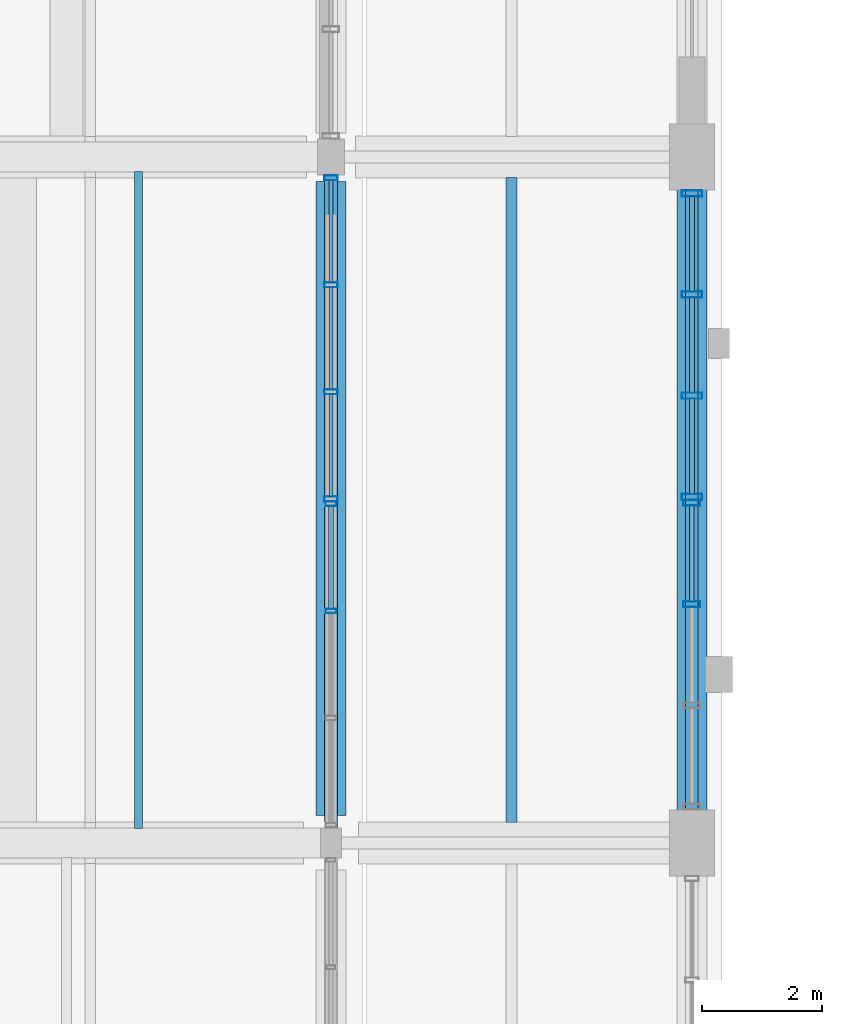
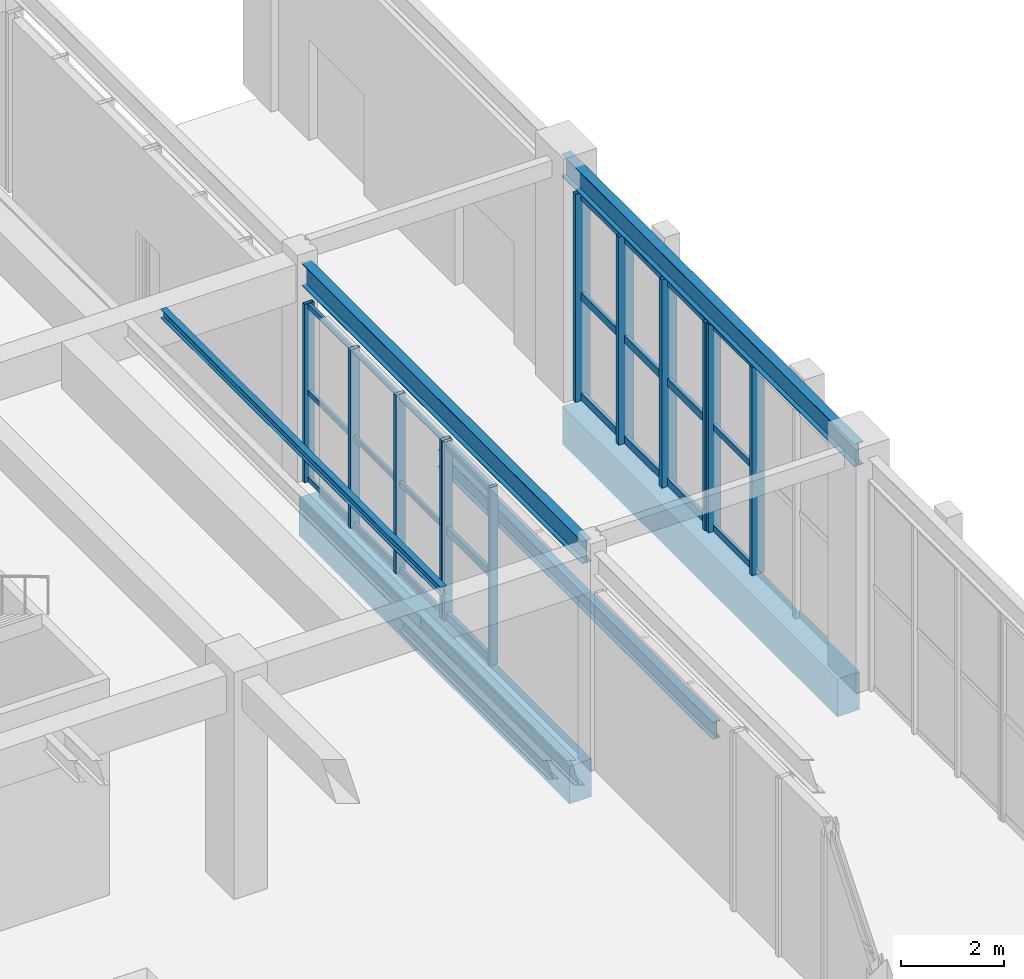
# One storey, part 51 of 113: 36 members, 6 beams, 4 elements without a shape of their own.
"""IFC4 building model written with IfcOpenShell, lengths in metres."""

from ifc_helpers import new_model, si_unit, direction, frame, origin, origin_2d, place, context, subcontext, project, spatial, rectangle, hollow_rectangle, i_section, extrude, material, layer, layer_set, material_profile, profile_set, type_object, element, aggregate, save


model = new_model("IFC4")

# Units and contexts
model_context = context("Model", 3, precision=1e-05, world=origin(), true_north=direction((0.0, 1.0)))
body_context = subcontext(model_context, "Body", "Model", "MODEL_VIEW")
ifc_project = project(units=[si_unit("LENGTHUNIT", "METRE"), si_unit("AREAUNIT", "SQUARE_METRE"), si_unit("VOLUMEUNIT", "CUBIC_METRE"), si_unit("PLANEANGLEUNIT", "RADIAN"), si_unit("MASSUNIT", "GRAM", prefix="KILO"), si_unit("POWERUNIT", "WATT"), si_unit("THERMODYNAMICTEMPERATUREUNIT", "KELVIN")], contexts=[model_context])

# Site, building, storey
site_placement = place(None, origin())
site = spatial("IfcSite", under=ifc_project, at=site_placement, CompositionType="ELEMENT")
building_placement = place(site_placement, origin())
building = spatial("IfcBuilding", under=site, at=building_placement, Name="Kelmbourne Parkland Aquatics Centre", CompositionType="ELEMENT")
storey_placement = place(building_placement, origin())
storey = spatial("IfcBuildingStorey", under=building, at=storey_placement, Name="L00", CompositionType="ELEMENT", Elevation=0.0)

# Beams
ifc_material_1 = material(Name="Concrete C40/50", Category="concrete")
ifc_material_profile_1 = material_profile(ifc_material_1, rectangle(XDim=0.5, YDim=0.89990234375, at=origin_2d()), Name="RC 500x900")
ifc_profile_set_1 = profile_set([ifc_material_profile_1], Name="Concrete C40/50")
beam_type_1 = type_object("IfcBeamType", Name="BM-G03", PredefinedType="BEAM", material=ifc_profile_set_1)
beam_1_placement = place(storey_placement, frame((40.0, 69.655029296875, -0.72998046875), z_axis=(0.0, 1.0, 0.0), x_axis=(-1.0, 0.0, 0.0)))
element("IfcBeam", 1, at=beam_1_placement, inside=storey, type_object=beam_type_1, Name="Primary girder 10-11 Grid F (L00)", PredefinedType="BEAM", context=body_context, shape_type="SweptSolid", body=[
    extrude(rectangle(XDim=0.5, YDim=0.89990234375, at=origin_2d()), origin(), (0.0, 0.0, 1.0), 10.5400390625),
])
beam_2_placement = place(storey_placement, frame((46.0, 69.60498046875, -0.72998046875), z_axis=(0.0, 1.0, 0.0), x_axis=(-1.0, 0.0, 0.0)))
element("IfcBeam", 2, at=beam_2_placement, inside=storey, type_object=beam_type_1, Name="Primary girder 10-11 Grid G (L00)", PredefinedType="BEAM", context=body_context, shape_type="SweptSolid", body=[
    extrude(rectangle(XDim=0.5, YDim=0.89990234375, at=origin_2d()), origin(), (0.0, 0.0, 1.0), 10.715087890625),
])
ifc_material_2 = material(Name="Structural steel AS/NZS 3679.1 Grade 300", Category="steel")
ifc_material_profile_2 = material_profile(ifc_material_2, i_section(OverallWidth=0.177978515625, OverallDepth=0.406005859375, WebThickness=0.0078125, FlangeThickness=0.0126953125, at=origin_2d()), Name="410UB59.7")
ifc_profile_set_2 = profile_set([ifc_material_profile_2], Name="Structural steel AS/NZS 3679.1 Grade 300")
beam_type_2 = type_object("IfcBeamType", Name="BM-J01", PredefinedType="JOIST", material=ifc_profile_set_2)
beam_3_placement = place(storey_placement, frame((43.0, 69.5419921875, -0.48291015625), z_axis=(0.0, 1.0, 0.0), x_axis=(-1.0, 0.0, 0.0)))
element("IfcBeam", 3, at=beam_3_placement, inside=storey, type_object=beam_type_2, Name="Secondary floor joist F-G/10-11 #1 (L00)", PredefinedType="JOIST", context=body_context, shape_type="SweptSolid", body=[
    extrude(i_section(OverallWidth=0.177978515625, OverallDepth=0.406005859375, WebThickness=0.0078125, FlangeThickness=0.0126953125, at=origin_2d()), origin(), (0.0, 0.0, 1.0), 10.716064453125),
])
ifc_material_profile_3 = material_profile(ifc_material_2, i_section(OverallWidth=0.134033203125, OverallDepth=0.20703125, WebThickness=0.00634765625, FlangeThickness=0.009521484375, at=origin_2d()), Name="200UB29.8")
ifc_profile_set_3 = profile_set([ifc_material_profile_3], Name="Structural steel AS/NZS 3679.1 Grade 300")
beam_type_3 = type_object("IfcBeamType", Name="BM-J07", PredefinedType="JOIST", material=ifc_profile_set_3)
beam_4_placement = place(storey_placement, frame((36.800048828125, 69.44189453125, 5.056396484375), z_axis=(0.0, 1.0, 0.0), x_axis=(-1.0, 0.0, 0.0)))
element("IfcBeam", 4, at=beam_4_placement, inside=storey, type_object=beam_type_3, Name="Deck secondary trim beam 16", PredefinedType="JOIST", context=body_context, shape_type="SweptSolid", body=[
    extrude(i_section(OverallWidth=0.134033203125, OverallDepth=0.20703125, WebThickness=0.00634765625, FlangeThickness=0.009521484375, at=origin_2d()), origin(), (0.0, 0.0, 1.0), 10.916015625),
])
ifc_material_profile_4 = material_profile(ifc_material_2, i_section(OverallWidth=0.208984375, OverallDepth=0.532958984375, WebThickness=0.01025390625, FlangeThickness=0.015625, at=origin_2d()), Name="530UB92.4")
ifc_profile_set_4 = profile_set([ifc_material_profile_4], Name="Structural steel AS/NZS 3679.1 Grade 300")
beam_type_4 = type_object("IfcBeamType", Name="BM-SP02", PredefinedType="SPANDREL", material=ifc_profile_set_4)
beam_5_placement = place(storey_placement, frame((40.0, 69.405029296875, 4.8935546875), z_axis=(0.0, 1.0, 0.0), x_axis=(-1.0, 0.0, 0.0)))
element("IfcBeam", 5, at=beam_5_placement, inside=storey, type_object=beam_type_4, Name="Perimeter spandrel 10-11 Grid F (L01)", PredefinedType="SPANDREL", context=body_context, shape_type="SweptSolid", body=[
    extrude(i_section(OverallWidth=0.208984375, OverallDepth=0.532958984375, WebThickness=0.01025390625, FlangeThickness=0.015625, at=origin_2d()), origin(), (0.0, 0.0, 1.0), 10.93994140625),
])
beam_6_placement = place(storey_placement, frame((46.0, 69.199951171875, 5.2333984375), z_axis=(0.0, 1.0, 0.0), x_axis=(-1.0, 0.0, 0.0)))
element("IfcBeam", 6, at=beam_6_placement, inside=storey, type_object=beam_type_4, Name="Perimeter spandrel 10-11 Grid G (L01_COL)", PredefinedType="SPANDREL", context=body_context, shape_type="SweptSolid", body=[
    extrude(i_section(OverallWidth=0.208984375, OverallDepth=0.532958984375, WebThickness=0.01025390625, FlangeThickness=0.015625, at=origin_2d()), origin(), (0.0, 0.0, 1.0), 11.400146484375),
])

# Curtain wall, members
ifc_material_3 = material(Name="Thermally broken anodised aluminium framing", Category="aluminium")
ifc_layer_1 = layer(ifc_material_3, 0.179931640625)
ifc_layer_set_1 = layer_set([ifc_layer_1], Name="Thermally broken anodised aluminium framing")
curtain_wall_type_1 = type_object("IfcCurtainWallType", Name="CW-05", PredefinedType="NOTDEFINED", material=ifc_layer_set_1)
curtain_wall_1_placement = place(storey_placement, origin())
curtain_wall_1 = element("IfcCurtainWall", 7, at=curtain_wall_1_placement, inside=storey, type_object=curtain_wall_type_1, Name="Facade curtain wall CW-L00-221", PredefinedType="NOTDEFINED")
ifc_material_profile_5 = material_profile(ifc_material_3, hollow_rectangle(XDim=0.074951171875, YDim=0.179931640625, WallThickness=0.00439453125, at=origin_2d()), Name="CW-M 75x180")
ifc_profile_set_5 = profile_set([ifc_material_profile_5], Name="Thermally broken anodised aluminium framing")
member_type_1 = type_object("IfcMemberType", Name="MB-MUL-2", PredefinedType="MULLION", material=ifc_profile_set_5)
member_1_placement = place(storey_placement, frame((40.0, 73.0546875, 0.0), z_axis=(0.0, 0.0, 1.0), x_axis=(0.0, 1.0, 0.0)))
member_1 = element("IfcMember", 8, at=member_1_placement, type_object=member_type_1, Name="CW-L00-221 mullion 2", PredefinedType="MULLION", context=body_context, shape_type="SweptSolid", body=[
    extrude(hollow_rectangle(XDim=0.074951171875, YDim=0.179931640625, WallThickness=0.00439453125, at=origin_2d()), origin(), (0.0, 0.0, 1.0), 4.2451171875),
])
member_2_placement = place(storey_placement, frame((40.0, 74.83740234375, 0.0), z_axis=(0.0, 0.0, 1.0), x_axis=(0.0, 1.0, 0.0)))
member_2 = element("IfcMember", 9, at=member_2_placement, type_object=member_type_1, Name="CW-L00-221 mullion 3", PredefinedType="MULLION", context=body_context, shape_type="SweptSolid", body=[
    extrude(hollow_rectangle(XDim=0.074951171875, YDim=0.179931640625, WallThickness=0.00439453125, at=origin_2d()), origin(), (0.0, 0.0, 1.0), 4.2451171875),
])

ifc_layer_2 = layer(ifc_material_3, 0.179931640625)
ifc_layer_set_2 = layer_set([ifc_layer_2], Name="Thermally broken anodised aluminium framing")
curtain_wall_type_2 = type_object("IfcCurtainWallType", Name="CW-06", PredefinedType="NOTDEFINED", material=ifc_layer_set_2)
curtain_wall_2_placement = place(storey_placement, origin())
curtain_wall_2 = element("IfcCurtainWall", 10, at=curtain_wall_2_placement, inside=storey, type_object=curtain_wall_type_2, Name="Facade curtain wall CW-L00-222", PredefinedType="NOTDEFINED")
ifc_material_profile_6 = material_profile(ifc_material_3, hollow_rectangle(XDim=0.0849609375, YDim=0.219970703125, WallThickness=0.0048828125, at=origin_2d()), Name="CW-M 85x220")
ifc_profile_set_6 = profile_set([ifc_material_profile_6], Name="Thermally broken anodised aluminium framing")
member_type_2 = type_object("IfcMemberType", Name="MB-MUL-3", PredefinedType="MULLION", material=ifc_profile_set_6)
member_3_placement = place(storey_placement, frame((40.0, 74.91748046875, 0.0), z_axis=(0.0, 0.0, 1.0), x_axis=(0.0, 1.0, 0.0)))
member_3 = element("IfcMember", 11, at=member_3_placement, type_object=member_type_2, Name="CW-L00-222 mullion 0", PredefinedType="MULLION", context=body_context, shape_type="SweptSolid", body=[
    extrude(hollow_rectangle(XDim=0.0849609375, YDim=0.219970703125, WallThickness=0.0048828125, at=origin_2d()), origin(), (0.0, 0.0, 1.0), 4.2451171875),
])
member_4_placement = place(storey_placement, frame((40.0, 76.69677734375, 0.0), z_axis=(0.0, 0.0, 1.0), x_axis=(0.0, 1.0, 0.0)))
member_4 = element("IfcMember", 12, at=member_4_placement, type_object=member_type_2, Name="CW-L00-222 mullion 1", PredefinedType="MULLION", context=body_context, shape_type="SweptSolid", body=[
    extrude(hollow_rectangle(XDim=0.0849609375, YDim=0.219970703125, WallThickness=0.0048828125, at=origin_2d()), origin(), (0.0, 0.0, 1.0), 4.2451171875),
])
member_5_placement = place(storey_placement, frame((40.0, 78.476318359375, 0.0), z_axis=(0.0, 0.0, 1.0), x_axis=(0.0, 1.0, 0.0)))
member_5 = element("IfcMember", 13, at=member_5_placement, type_object=member_type_2, Name="CW-L00-222 mullion 2", PredefinedType="MULLION", context=body_context, shape_type="SweptSolid", body=[
    extrude(hollow_rectangle(XDim=0.0849609375, YDim=0.219970703125, WallThickness=0.0048828125, at=origin_2d()), origin(), (0.0, 0.0, 1.0), 4.2451171875),
])
member_6_placement = place(storey_placement, frame((40.0, 80.255615234375, 0.0), z_axis=(0.0, 0.0, 1.0), x_axis=(0.0, 1.0, 0.0)))
member_6 = element("IfcMember", 14, at=member_6_placement, type_object=member_type_2, Name="CW-L00-222 mullion 3", PredefinedType="MULLION", context=body_context, shape_type="SweptSolid", body=[
    extrude(hollow_rectangle(XDim=0.0849609375, YDim=0.219970703125, WallThickness=0.0048828125, at=origin_2d()), origin(), (0.0, 0.0, 1.0), 4.2451171875),
])

ifc_layer_3 = layer(ifc_material_3, 0.179931640625)
ifc_layer_set_3 = layer_set([ifc_layer_3], Name="Thermally broken anodised aluminium framing")
curtain_wall_type_3 = type_object("IfcCurtainWallType", Name="CW-10", PredefinedType="NOTDEFINED", material=ifc_layer_set_3)
curtain_wall_3_placement = place(storey_placement, origin())
curtain_wall_3 = element("IfcCurtainWall", 15, at=curtain_wall_3_placement, inside=storey, type_object=curtain_wall_type_3, Name="Facade curtain wall CW-L00-178", PredefinedType="NOTDEFINED")
ifc_material_profile_7 = material_profile(ifc_material_3, hollow_rectangle(XDim=0.094970703125, YDim=0.280029296875, WallThickness=0.005615234375, at=origin_2d()), Name="CW-M 95x280")
ifc_profile_set_7 = profile_set([ifc_material_profile_7], Name="Thermally broken anodised aluminium framing")
member_type_3 = type_object("IfcMemberType", Name="MB-MUL-4", PredefinedType="MULLION", material=ifc_profile_set_7)
member_7_placement = place(storey_placement, frame((46.0, 73.168212890625, 0.0), z_axis=(0.0, 0.0, 1.0), x_axis=(0.0, 1.0, 0.0)))
member_7 = element("IfcMember", 16, at=member_7_placement, type_object=member_type_3, Name="CW-L00-178 mullion 2", PredefinedType="MULLION", context=body_context, shape_type="SweptSolid", body=[
    extrude(hollow_rectangle(XDim=0.094970703125, YDim=0.280029296875, WallThickness=0.005615234375, at=origin_2d()), origin(), (0.0, 0.0, 1.0), 4.951904296875),
])
member_8_placement = place(storey_placement, frame((46.0, 74.8525390625, 0.0), z_axis=(0.0, 0.0, 1.0), x_axis=(0.0, 1.0, 0.0)))
member_8 = element("IfcMember", 17, at=member_8_placement, type_object=member_type_3, Name="CW-L00-178 mullion 3", PredefinedType="MULLION", context=body_context, shape_type="SweptSolid", body=[
    extrude(hollow_rectangle(XDim=0.094970703125, YDim=0.280029296875, WallThickness=0.005615234375, at=origin_2d()), origin(), (0.0, 0.0, 1.0), 4.951904296875),
])

ifc_layer_4 = layer(ifc_material_3, 0.179931640625)
ifc_layer_set_4 = layer_set([ifc_layer_4], Name="Thermally broken anodised aluminium framing")
curtain_wall_type_4 = type_object("IfcCurtainWallType", Name="CW-11", PredefinedType="NOTDEFINED", material=ifc_layer_set_4)
curtain_wall_4_placement = place(storey_placement, origin())
curtain_wall_4 = element("IfcCurtainWall", 18, at=curtain_wall_4_placement, inside=storey, type_object=curtain_wall_type_4, Name="Facade curtain wall CW-L00-179", PredefinedType="NOTDEFINED")
ifc_material_profile_8 = material_profile(ifc_material_3, hollow_rectangle(XDim=0.10498046875, YDim=0.340087890625, WallThickness=0.006103515625, at=origin_2d()), Name="CW-M 105x340")
ifc_profile_set_8 = profile_set([ifc_material_profile_8], Name="Thermally broken anodised aluminium framing")
member_type_4 = type_object("IfcMemberType", Name="MB-MUL-5", PredefinedType="MULLION", material=ifc_profile_set_8)
member_9_placement = place(storey_placement, frame((46.0, 74.952392578125, 0.0), z_axis=(0.0, 0.0, 1.0), x_axis=(0.0, 1.0, 0.0)))
member_9 = element("IfcMember", 19, at=member_9_placement, type_object=member_type_4, Name="CW-L00-179 mullion 0", PredefinedType="MULLION", context=body_context, shape_type="SweptSolid", body=[
    extrude(hollow_rectangle(XDim=0.10498046875, YDim=0.340087890625, WallThickness=0.006103515625, at=origin_2d()), origin(), (0.0, 0.0, 1.0), 4.951904296875),
])
member_10_placement = place(storey_placement, frame((46.0, 76.633544921875, 0.0), z_axis=(0.0, 0.0, 1.0), x_axis=(0.0, 1.0, 0.0)))
member_10 = element("IfcMember", 20, at=member_10_placement, type_object=member_type_4, Name="CW-L00-179 mullion 1", PredefinedType="MULLION", context=body_context, shape_type="SweptSolid", body=[
    extrude(hollow_rectangle(XDim=0.10498046875, YDim=0.340087890625, WallThickness=0.006103515625, at=origin_2d()), origin(), (0.0, 0.0, 1.0), 4.951904296875),
])
member_11_placement = place(storey_placement, frame((46.0, 78.314453125, 0.0), z_axis=(0.0, 0.0, 1.0), x_axis=(0.0, 1.0, 0.0)))
member_11 = element("IfcMember", 21, at=member_11_placement, type_object=member_type_4, Name="CW-L00-179 mullion 2", PredefinedType="MULLION", context=body_context, shape_type="SweptSolid", body=[
    extrude(hollow_rectangle(XDim=0.10498046875, YDim=0.340087890625, WallThickness=0.006103515625, at=origin_2d()), origin(), (0.0, 0.0, 1.0), 4.951904296875),
])
member_12_placement = place(storey_placement, frame((46.0, 79.99560546875, 0.0), z_axis=(0.0, 0.0, 1.0), x_axis=(0.0, 1.0, 0.0)))
member_12 = element("IfcMember", 22, at=member_12_placement, type_object=member_type_4, Name="CW-L00-179 mullion 3", PredefinedType="MULLION", context=body_context, shape_type="SweptSolid", body=[
    extrude(hollow_rectangle(XDim=0.10498046875, YDim=0.340087890625, WallThickness=0.006103515625, at=origin_2d()), origin(), (0.0, 0.0, 1.0), 4.951904296875),
])

# Member
ifc_material_profile_9 = material_profile(ifc_material_3, hollow_rectangle(XDim=0.06494140625, YDim=0.1201171875, WallThickness=0.00341796875, at=origin_2d()), Name="CW-T 65x120")
ifc_profile_set_9 = profile_set([ifc_material_profile_9], Name="Thermally broken anodised aluminium framing")
member_type_5 = type_object("IfcMemberType", Name="MB-TRN-1", PredefinedType="USERDEFINED", material=ifc_profile_set_9)
member_13_placement = place(storey_placement, frame((40.0, 74.9560546875, 0.06298828125), z_axis=(0.0, 1.0, 0.0), x_axis=(-1.0, 0.0, 0.0)))
member_13 = element("IfcMember", 23, at=member_13_placement, type_object=member_type_5, Name="CW-L00-222 transom 0-0", ObjectType="TRANSOM", PredefinedType="USERDEFINED", context=body_context, shape_type="SweptSolid", body=[
    extrude(hollow_rectangle(XDim=0.06494140625, YDim=0.1201171875, WallThickness=0.00341796875, at=origin_2d()), origin(), (0.0, 0.0, 1.0), 1.7021484375),
])

member_14_placement = place(storey_placement, frame((40.0, 76.7353515625, 0.06298828125), z_axis=(0.0, 1.0, 0.0), x_axis=(-1.0, 0.0, 0.0)))
member_14 = element("IfcMember", 24, at=member_14_placement, type_object=member_type_5, Name="CW-L00-222 transom 0-1", ObjectType="TRANSOM", PredefinedType="USERDEFINED", context=body_context, shape_type="SweptSolid", body=[
    extrude(hollow_rectangle(XDim=0.06494140625, YDim=0.1201171875, WallThickness=0.00341796875, at=origin_2d()), origin(), (0.0, 0.0, 1.0), 1.702392578125),
])

member_15_placement = place(storey_placement, frame((40.0, 78.5146484375, 0.06298828125), z_axis=(0.0, 1.0, 0.0), x_axis=(-1.0, 0.0, 0.0)))
member_15 = element("IfcMember", 25, at=member_15_placement, type_object=member_type_5, Name="CW-L00-222 transom 0-2", ObjectType="TRANSOM", PredefinedType="USERDEFINED", context=body_context, shape_type="SweptSolid", body=[
    extrude(hollow_rectangle(XDim=0.06494140625, YDim=0.1201171875, WallThickness=0.00341796875, at=origin_2d()), origin(), (0.0, 0.0, 1.0), 1.702392578125),
])

member_16_placement = place(storey_placement, frame((40.0, 74.9560546875, 2.12255859375), z_axis=(0.0, 1.0, 0.0), x_axis=(-1.0, 0.0, 0.0)))
member_16 = element("IfcMember", 26, at=member_16_placement, type_object=member_type_5, Name="CW-L00-222 transom 1-0", ObjectType="TRANSOM", PredefinedType="USERDEFINED", context=body_context, shape_type="SweptSolid", body=[
    extrude(hollow_rectangle(XDim=0.06494140625, YDim=0.1201171875, WallThickness=0.00341796875, at=origin_2d()), origin(), (0.0, 0.0, 1.0), 1.7021484375),
])

member_17_placement = place(storey_placement, frame((40.0, 76.7353515625, 2.12255859375), z_axis=(0.0, 1.0, 0.0), x_axis=(-1.0, 0.0, 0.0)))
member_17 = element("IfcMember", 27, at=member_17_placement, type_object=member_type_5, Name="CW-L00-222 transom 1-1", ObjectType="TRANSOM", PredefinedType="USERDEFINED", context=body_context, shape_type="SweptSolid", body=[
    extrude(hollow_rectangle(XDim=0.06494140625, YDim=0.1201171875, WallThickness=0.00341796875, at=origin_2d()), origin(), (0.0, 0.0, 1.0), 1.702392578125),
])

member_18_placement = place(storey_placement, frame((40.0, 78.5146484375, 2.12255859375), z_axis=(0.0, 1.0, 0.0), x_axis=(-1.0, 0.0, 0.0)))
member_18 = element("IfcMember", 28, at=member_18_placement, type_object=member_type_5, Name="CW-L00-222 transom 1-2", ObjectType="TRANSOM", PredefinedType="USERDEFINED", context=body_context, shape_type="SweptSolid", body=[
    extrude(hollow_rectangle(XDim=0.06494140625, YDim=0.1201171875, WallThickness=0.00341796875, at=origin_2d()), origin(), (0.0, 0.0, 1.0), 1.702392578125),
])

member_19_placement = place(storey_placement, frame((40.0, 74.9560546875, 4.181884765625), z_axis=(0.0, 1.0, 0.0), x_axis=(-1.0, 0.0, 0.0)))
member_19 = element("IfcMember", 29, at=member_19_placement, type_object=member_type_5, Name="CW-L00-222 transom 2-0", ObjectType="TRANSOM", PredefinedType="USERDEFINED", context=body_context, shape_type="SweptSolid", body=[
    extrude(hollow_rectangle(XDim=0.06494140625, YDim=0.1201171875, WallThickness=0.00341796875, at=origin_2d()), origin(), (0.0, 0.0, 1.0), 1.7021484375),
])

member_20_placement = place(storey_placement, frame((40.0, 76.7353515625, 4.181884765625), z_axis=(0.0, 1.0, 0.0), x_axis=(-1.0, 0.0, 0.0)))
member_20 = element("IfcMember", 30, at=member_20_placement, type_object=member_type_5, Name="CW-L00-222 transom 2-1", ObjectType="TRANSOM", PredefinedType="USERDEFINED", context=body_context, shape_type="SweptSolid", body=[
    extrude(hollow_rectangle(XDim=0.06494140625, YDim=0.1201171875, WallThickness=0.00341796875, at=origin_2d()), origin(), (0.0, 0.0, 1.0), 1.702392578125),
])

member_21_placement = place(storey_placement, frame((40.0, 78.5146484375, 4.181884765625), z_axis=(0.0, 1.0, 0.0), x_axis=(-1.0, 0.0, 0.0)))
member_21 = element("IfcMember", 31, at=member_21_placement, type_object=member_type_5, Name="CW-L00-222 transom 2-2", ObjectType="TRANSOM", PredefinedType="USERDEFINED", context=body_context, shape_type="SweptSolid", body=[
    extrude(hollow_rectangle(XDim=0.06494140625, YDim=0.1201171875, WallThickness=0.00341796875, at=origin_2d()), origin(), (0.0, 0.0, 1.0), 1.702392578125),
])

aggregate(curtain_wall_2, [member_3, member_4, member_5, member_6, member_13, member_14, member_15, member_16, member_17, member_18, member_19, member_20, member_21])

ifc_material_profile_10 = material_profile(ifc_material_3, hollow_rectangle(XDim=0.074951171875, YDim=0.14990234375, WallThickness=0.00390625, at=origin_2d()), Name="CW-T 75x150")
ifc_profile_set_10 = profile_set([ifc_material_profile_10], Name="Thermally broken anodised aluminium framing")
member_type_6 = type_object("IfcMemberType", Name="MB-TRN-2", PredefinedType="USERDEFINED", material=ifc_profile_set_10)
member_22_placement = place(storey_placement, frame((46.0, 73.211669921875, 0.077880859375), z_axis=(0.0, 1.0, 0.0), x_axis=(-1.0, 0.0, 0.0)))
member_22 = element("IfcMember", 32, at=member_22_placement, type_object=member_type_6, Name="CW-L00-178 transom 0-2", ObjectType="TRANSOM", PredefinedType="USERDEFINED", context=body_context, shape_type="SweptSolid", body=[
    extrude(hollow_rectangle(XDim=0.074951171875, YDim=0.14990234375, WallThickness=0.00390625, at=origin_2d()), origin(), (0.0, 0.0, 1.0), 1.597412109375),
])

member_23_placement = place(storey_placement, frame((46.0, 73.211669921875, 2.47607421875), z_axis=(0.0, 1.0, 0.0), x_axis=(-1.0, 0.0, 0.0)))
member_23 = element("IfcMember", 33, at=member_23_placement, type_object=member_type_6, Name="CW-L00-178 transom 1-2", ObjectType="TRANSOM", PredefinedType="USERDEFINED", context=body_context, shape_type="SweptSolid", body=[
    extrude(hollow_rectangle(XDim=0.074951171875, YDim=0.14990234375, WallThickness=0.00390625, at=origin_2d()), origin(), (0.0, 0.0, 1.0), 1.597412109375),
])

member_24_placement = place(storey_placement, frame((46.0, 73.211669921875, 4.8740234375), z_axis=(0.0, 1.0, 0.0), x_axis=(-1.0, 0.0, 0.0)))
member_24 = element("IfcMember", 34, at=member_24_placement, type_object=member_type_6, Name="CW-L00-178 transom 2-2", ObjectType="TRANSOM", PredefinedType="USERDEFINED", context=body_context, shape_type="SweptSolid", body=[
    extrude(hollow_rectangle(XDim=0.074951171875, YDim=0.14990234375, WallThickness=0.00390625, at=origin_2d()), origin(), (0.0, 0.0, 1.0), 1.597412109375),
])

aggregate(curtain_wall_3, [member_7, member_8, member_22, member_23, member_24])

ifc_material_profile_11 = material_profile(ifc_material_3, hollow_rectangle(XDim=0.0849609375, YDim=0.179931640625, WallThickness=0.00439453125, at=origin_2d()), Name="CW-T 85x180")
ifc_profile_set_11 = profile_set([ifc_material_profile_11], Name="Thermally broken anodised aluminium framing")
member_type_7 = type_object("IfcMemberType", Name="MB-TRN-3", PredefinedType="USERDEFINED", material=ifc_profile_set_11)
member_25_placement = place(storey_placement, frame((46.0, 75.0009765625, 0.093017578125), z_axis=(0.0, 1.0, 0.0), x_axis=(-1.0, 0.0, 0.0)))
member_25 = element("IfcMember", 35, at=member_25_placement, type_object=member_type_7, Name="CW-L00-179 transom 0-0", ObjectType="TRANSOM", PredefinedType="USERDEFINED", context=body_context, shape_type="SweptSolid", body=[
    extrude(hollow_rectangle(XDim=0.0849609375, YDim=0.179931640625, WallThickness=0.00439453125, at=origin_2d()), origin(), (0.0, 0.0, 1.0), 1.583984375),
])

member_26_placement = place(storey_placement, frame((46.0, 76.681884765625, 0.093017578125), z_axis=(0.0, 1.0, 0.0), x_axis=(-1.0, 0.0, 0.0)))
member_26 = element("IfcMember", 36, at=member_26_placement, type_object=member_type_7, Name="CW-L00-179 transom 0-1", ObjectType="TRANSOM", PredefinedType="USERDEFINED", context=body_context, shape_type="SweptSolid", body=[
    extrude(hollow_rectangle(XDim=0.0849609375, YDim=0.179931640625, WallThickness=0.00439453125, at=origin_2d()), origin(), (0.0, 0.0, 1.0), 1.584228515625),
])

member_27_placement = place(storey_placement, frame((46.0, 78.363037109375, 0.093017578125), z_axis=(0.0, 1.0, 0.0), x_axis=(-1.0, 0.0, 0.0)))
member_27 = element("IfcMember", 37, at=member_27_placement, type_object=member_type_7, Name="CW-L00-179 transom 0-2", ObjectType="TRANSOM", PredefinedType="USERDEFINED", context=body_context, shape_type="SweptSolid", body=[
    extrude(hollow_rectangle(XDim=0.0849609375, YDim=0.179931640625, WallThickness=0.00439453125, at=origin_2d()), origin(), (0.0, 0.0, 1.0), 1.583984375),
])

member_28_placement = place(storey_placement, frame((46.0, 75.0009765625, 2.47607421875), z_axis=(0.0, 1.0, 0.0), x_axis=(-1.0, 0.0, 0.0)))
member_28 = element("IfcMember", 38, at=member_28_placement, type_object=member_type_7, Name="CW-L00-179 transom 1-0", ObjectType="TRANSOM", PredefinedType="USERDEFINED", context=body_context, shape_type="SweptSolid", body=[
    extrude(hollow_rectangle(XDim=0.0849609375, YDim=0.179931640625, WallThickness=0.00439453125, at=origin_2d()), origin(), (0.0, 0.0, 1.0), 1.583984375),
])

member_29_placement = place(storey_placement, frame((46.0, 76.681884765625, 2.47607421875), z_axis=(0.0, 1.0, 0.0), x_axis=(-1.0, 0.0, 0.0)))
member_29 = element("IfcMember", 39, at=member_29_placement, type_object=member_type_7, Name="CW-L00-179 transom 1-1", ObjectType="TRANSOM", PredefinedType="USERDEFINED", context=body_context, shape_type="SweptSolid", body=[
    extrude(hollow_rectangle(XDim=0.0849609375, YDim=0.179931640625, WallThickness=0.00439453125, at=origin_2d()), origin(), (0.0, 0.0, 1.0), 1.584228515625),
])

member_30_placement = place(storey_placement, frame((46.0, 78.363037109375, 2.47607421875), z_axis=(0.0, 1.0, 0.0), x_axis=(-1.0, 0.0, 0.0)))
member_30 = element("IfcMember", 40, at=member_30_placement, type_object=member_type_7, Name="CW-L00-179 transom 1-2", ObjectType="TRANSOM", PredefinedType="USERDEFINED", context=body_context, shape_type="SweptSolid", body=[
    extrude(hollow_rectangle(XDim=0.0849609375, YDim=0.179931640625, WallThickness=0.00439453125, at=origin_2d()), origin(), (0.0, 0.0, 1.0), 1.583984375),
])

member_31_placement = place(storey_placement, frame((46.0, 75.0009765625, 4.85888671875), z_axis=(0.0, 1.0, 0.0), x_axis=(-1.0, 0.0, 0.0)))
member_31 = element("IfcMember", 41, at=member_31_placement, type_object=member_type_7, Name="CW-L00-179 transom 2-0", ObjectType="TRANSOM", PredefinedType="USERDEFINED", context=body_context, shape_type="SweptSolid", body=[
    extrude(hollow_rectangle(XDim=0.0849609375, YDim=0.179931640625, WallThickness=0.00439453125, at=origin_2d()), origin(), (0.0, 0.0, 1.0), 1.583984375),
])

member_32_placement = place(storey_placement, frame((46.0, 76.681884765625, 4.85888671875), z_axis=(0.0, 1.0, 0.0), x_axis=(-1.0, 0.0, 0.0)))
member_32 = element("IfcMember", 42, at=member_32_placement, type_object=member_type_7, Name="CW-L00-179 transom 2-1", ObjectType="TRANSOM", PredefinedType="USERDEFINED", context=body_context, shape_type="SweptSolid", body=[
    extrude(hollow_rectangle(XDim=0.0849609375, YDim=0.179931640625, WallThickness=0.00439453125, at=origin_2d()), origin(), (0.0, 0.0, 1.0), 1.584228515625),
])

member_33_placement = place(storey_placement, frame((46.0, 78.363037109375, 4.85888671875), z_axis=(0.0, 1.0, 0.0), x_axis=(-1.0, 0.0, 0.0)))
member_33 = element("IfcMember", 43, at=member_33_placement, type_object=member_type_7, Name="CW-L00-179 transom 2-2", ObjectType="TRANSOM", PredefinedType="USERDEFINED", context=body_context, shape_type="SweptSolid", body=[
    extrude(hollow_rectangle(XDim=0.0849609375, YDim=0.179931640625, WallThickness=0.00439453125, at=origin_2d()), origin(), (0.0, 0.0, 1.0), 1.583984375),
])

aggregate(curtain_wall_4, [member_9, member_10, member_11, member_12, member_25, member_26, member_27, member_28, member_29, member_30, member_31, member_32, member_33])

member_34_placement = place(storey_placement, frame((40.0, 73.08837890625, 0.093017578125), z_axis=(0.0, 1.0, 0.0), x_axis=(-1.0, 0.0, 0.0)))
member_34 = element("IfcMember", 44, at=member_34_placement, type_object=member_type_7, Name="CW-L00-221 transom 0-2", ObjectType="TRANSOM", PredefinedType="USERDEFINED", context=body_context, shape_type="SweptSolid", body=[
    extrude(hollow_rectangle(XDim=0.0849609375, YDim=0.179931640625, WallThickness=0.00439453125, at=origin_2d()), origin(), (0.0, 0.0, 1.0), 1.715576171875),
])

member_35_placement = place(storey_placement, frame((40.0, 73.08837890625, 2.12255859375), z_axis=(0.0, 1.0, 0.0), x_axis=(-1.0, 0.0, 0.0)))
member_35 = element("IfcMember", 45, at=member_35_placement, type_object=member_type_7, Name="CW-L00-221 transom 1-2", ObjectType="TRANSOM", PredefinedType="USERDEFINED", context=body_context, shape_type="SweptSolid", body=[
    extrude(hollow_rectangle(XDim=0.0849609375, YDim=0.179931640625, WallThickness=0.00439453125, at=origin_2d()), origin(), (0.0, 0.0, 1.0), 1.715576171875),
])

member_36_placement = place(storey_placement, frame((40.0, 73.08837890625, 4.152099609375), z_axis=(0.0, 1.0, 0.0), x_axis=(-1.0, 0.0, 0.0)))
member_36 = element("IfcMember", 46, at=member_36_placement, type_object=member_type_7, Name="CW-L00-221 transom 2-2", ObjectType="TRANSOM", PredefinedType="USERDEFINED", context=body_context, shape_type="SweptSolid", body=[
    extrude(hollow_rectangle(XDim=0.0849609375, YDim=0.179931640625, WallThickness=0.00439453125, at=origin_2d()), origin(), (0.0, 0.0, 1.0), 1.715576171875),
])

aggregate(curtain_wall_1, [member_1, member_2, member_34, member_35, member_36])

save(model, "model.ifc")
